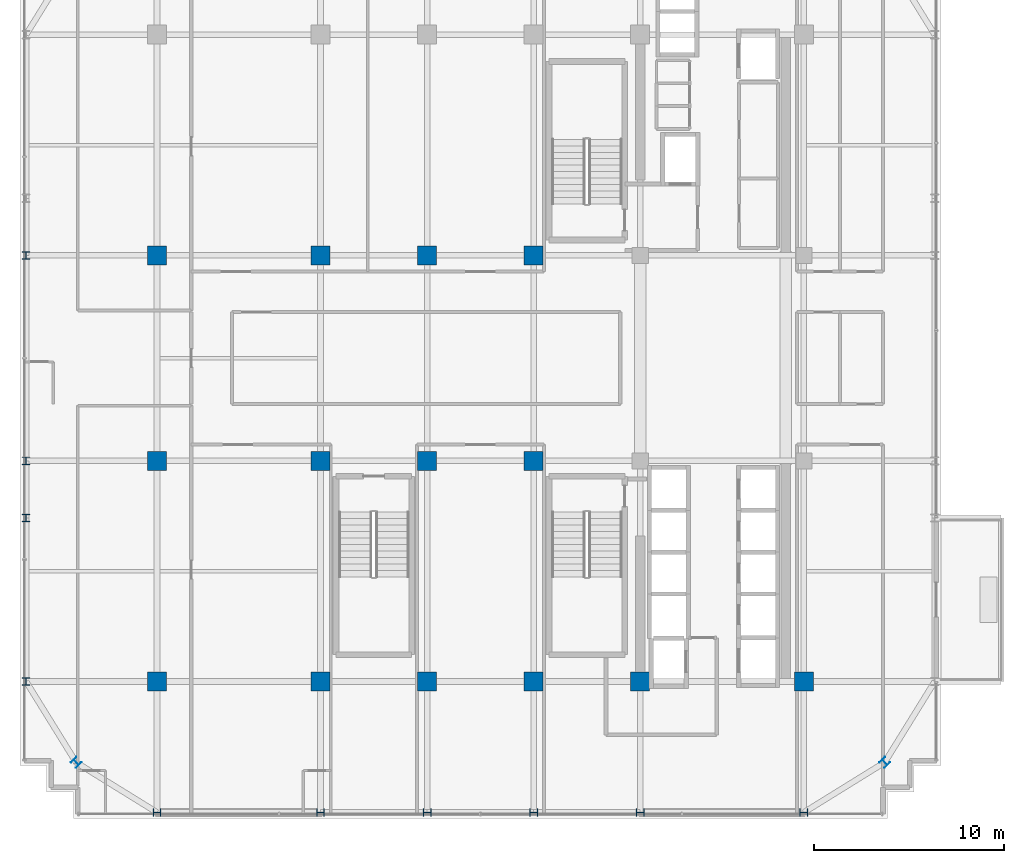
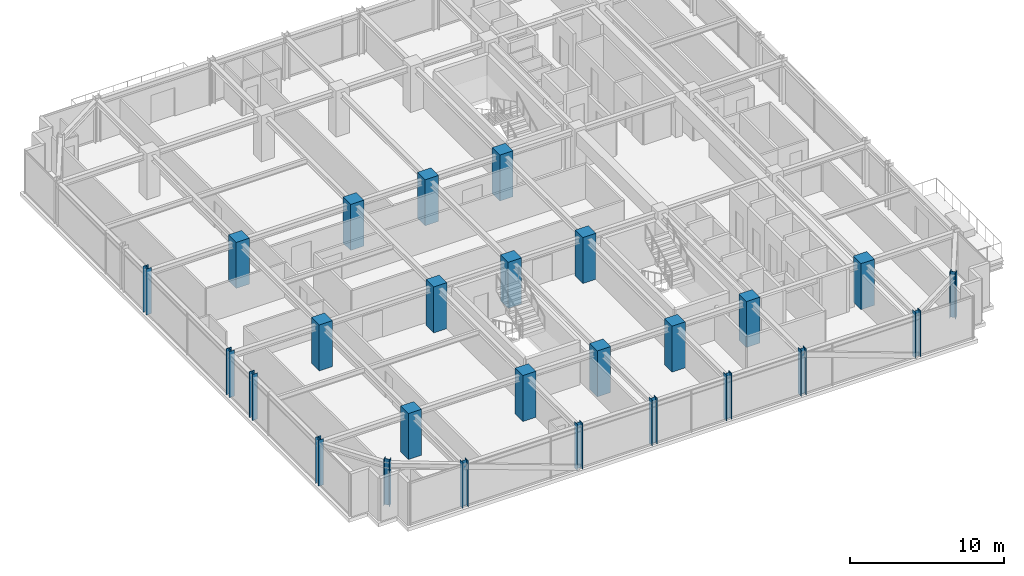
# One storey, part 1 of 36: 26 columns.
"""IFC4 building model written with IfcOpenShell, lengths in metres."""

from ifc_helpers import new_model, si_unit, direction, frame, origin, origin_2d, place, context, subcontext, project, spatial, rectangle, i_section, extrude, source, transform, mapped, material, material_profile, profile_set, type_object, element, save


model = new_model("IFC4")

# Units and contexts
model_context = context("Model", 3, precision=1e-05, world=origin(), true_north=direction((0.0, 1.0)))
body_context = subcontext(model_context, "Body", "Model", "MODEL_VIEW")
ifc_project = project(units=[si_unit("LENGTHUNIT", "METRE"), si_unit("AREAUNIT", "SQUARE_METRE"), si_unit("VOLUMEUNIT", "CUBIC_METRE"), si_unit("PLANEANGLEUNIT", "RADIAN"), si_unit("MASSUNIT", "GRAM", prefix="KILO")], contexts=[model_context])

# Site, building, storey
site_placement = place(None, origin())
site = spatial("IfcSite", under=ifc_project, at=site_placement, CompositionType="ELEMENT")
building_placement = place(site_placement, origin())
building = spatial("IfcBuilding", under=site, at=building_placement, Name="Nahalor Promenade Grand Hotel", CompositionType="ELEMENT")
storey_placement = place(building_placement, frame((0.0, 0.0, 234.5)))
storey = spatial("IfcBuildingStorey", under=building, at=storey_placement, Name="L60", CompositionType="ELEMENT", Elevation=234.5)

# Columns
ifc_material_1 = material(Name="Concrete B-60 (C50/60)", Category="concrete")
ifc_material_profile_1 = material_profile(ifc_material_1, rectangle(XDim=1.0, YDim=1.0, at=origin_2d()), Name="RC 1000x1000")
ifc_profile_set_1 = profile_set([ifc_material_profile_1], Name="Concrete B-60 (C50/60)")
column_type_1 = type_object("IfcColumnType", Name="Col-RC-1000", PredefinedType="COLUMN", material=ifc_profile_set_1)
shared_shape_1 = source(origin(), body_context, "Body", "SweptSolid", [
    extrude(rectangle(XDim=1.0, YDim=1.0, at=origin_2d()), origin(), (0.0, 0.0, 1.0), 3.655029296875),
])
for number, where, z_axis, x_axis, name in (
    (1, (-17.0, -17.0, 0.0), (0.0, 0.0, 1.0), (1.0, 0.0, 0.0), "COL-L60-I00"),
    (2, (-17.0, -5.39990234375, 0.0), (0.0, 0.0, 1.0), (1.0, 0.0, 0.0), "COL-L60-I01"),
    (3, (-17.0, 5.39990234375, 0.0), (0.0, 0.0, 1.0), (1.0, 0.0, 0.0), "COL-L60-I02"),
    (4, (-8.39990234375, -17.0, 0.0), (0.0, 0.0, 1.0), (1.0, 0.0, 0.0), "COL-L60-I10"),
    (5, (-8.39990234375, -5.39990234375, 0.0), (0.0, 0.0, 1.0), (1.0, 0.0, 0.0), "COL-L60-I11"),
    (6, (-8.39990234375, 5.39990234375, 0.0), (0.0, 0.0, 1.0), (1.0, 0.0, 0.0), "COL-L60-I12"),
    (7, (-2.800048828125, -17.0, 0.0), (0.0, 0.0, 1.0), (1.0, 0.0, 0.0), "COL-L60-I20"),
    (8, (-2.800048828125, -5.39990234375, 0.0), (0.0, 0.0, 1.0), (1.0, 0.0, 0.0), "COL-L60-I21"),
    (9, (-2.800048828125, 5.39990234375, 0.0), (0.0, 0.0, 1.0), (1.0, 0.0, 0.0), "COL-L60-I22"),
    (10, (2.800048828125, -17.0, 0.0), (0.0, 0.0, 1.0), (1.0, 0.0, 0.0), "COL-L60-I30"),
    (11, (2.800048828125, -5.39990234375, 0.0), (0.0, 0.0, 1.0), (1.0, 0.0, 0.0), "COL-L60-I31"),
    (12, (2.800048828125, 5.39990234375, 0.0), (0.0, 0.0, 1.0), (1.0, 0.0, 0.0), "COL-L60-I32"),
    (13, (8.39990234375, -17.0, 0.0), (0.0, 0.0, 1.0), (1.0, 0.0, 0.0), "COL-L60-I40"),
    (14, (17.0, -17.0, 0.0), (0.0, 0.0, 1.0), (1.0, 0.0, 0.0), "COL-L60-I50"),
):
    element("IfcColumn", number, at=place(storey_placement, frame(where, z_axis=z_axis, x_axis=x_axis)), inside=storey, type_object=column_type_1, Name=name, PredefinedType="COLUMN", context=body_context, shape_type="MappedRepresentation", body=[
        mapped(shared_shape_1, transform((0.0, 0.0, 0.0), scale=1.0)),
    ])
ifc_material_2 = material(Name="Steel S355JR", Category="steel")
ifc_material_profile_2 = material_profile(ifc_material_2, i_section(OverallWidth=0.401, OverallDepth=0.406, WebThickness=0.0161, FlangeThickness=0.025, at=origin_2d()), Name="HD 400x314")
ifc_profile_set_2 = profile_set([ifc_material_profile_2], Name="Steel S355JR")
column_type_2 = type_object("IfcColumnType", Name="Col-Steel-HD314", PredefinedType="COLUMN", material=ifc_profile_set_2)
shared_shape_2 = source(origin(), body_context, "Body", "SweptSolid", [
    extrude(i_section(OverallWidth=0.401, OverallDepth=0.406, WebThickness=0.0161, FlangeThickness=0.025, at=origin_2d()), origin(), (0.0, 0.0, 1.0), 3.655029296875),
])
for number, where, z_axis, x_axis, name in (
    (15, (-23.8798828125, -17.0, 0.0), (0.0, 0.0, 1.0), (1.0, 0.0, 0.0), "COL-L60-PW-W0"),
    (16, (-23.8798828125, -8.39990234375, 0.0), (0.0, 0.0, 1.0), (1.0, 0.0, 0.0), "COL-L60-PW-W1"),
    (17, (-23.8798828125, -5.39990234375, 0.0), (0.0, 0.0, 1.0), (1.0, 0.0, 0.0), "COL-L60-PW-W2"),
    (18, (-23.8798828125, 5.39990234375, 0.0), (0.0, 0.0, 1.0), (1.0, 0.0, 0.0), "COL-L60-PW-W3"),
    (19, (-17.0, -23.8798828125, 0.0), (0.0, 0.0, 1.0), (0.0, 1.0, 0.0), "COL-L60-PN-S0"),
    (20, (-8.39990234375, -23.8798828125, 0.0), (0.0, 0.0, 1.0), (0.0, 1.0, 0.0), "COL-L60-PN-S1"),
    (21, (-2.800048828125, -23.8798828125, 0.0), (0.0, 0.0, 1.0), (0.0, 1.0, 0.0), "COL-L60-PN-S2"),
    (22, (2.800048828125, -23.8798828125, 0.0), (0.0, 0.0, 1.0), (0.0, 1.0, 0.0), "COL-L60-PN-S3"),
    (23, (8.39990234375, -23.8798828125, 0.0), (0.0, 0.0, 1.0), (0.0, 1.0, 0.0), "COL-L60-PN-S4"),
    (24, (17.0, -23.8798828125, 0.0), (0.0, 0.0, 1.0), (0.0, 1.0, 0.0), "COL-L60-PN-S5"),
    (25, (-21.25, -21.25, 0.0), (0.0, 0.0, 1.0), (0.707106781187, 0.707106781187, 0.0), "COL-L60-CRN-SW"),
    (26, (21.25, -21.25, 0.0), (0.0, 0.0, 1.0), (0.707106781187, 0.707106781187, 0.0), "COL-L60-CRN-SE"),
):
    element("IfcColumn", number, at=place(storey_placement, frame(where, z_axis=z_axis, x_axis=x_axis)), inside=storey, type_object=column_type_2, Name=name, PredefinedType="COLUMN", context=body_context, shape_type="MappedRepresentation", body=[
        mapped(shared_shape_2, transform((0.0, 0.0, 0.0), scale=1.0)),
    ])

save(model, "model.ifc")
